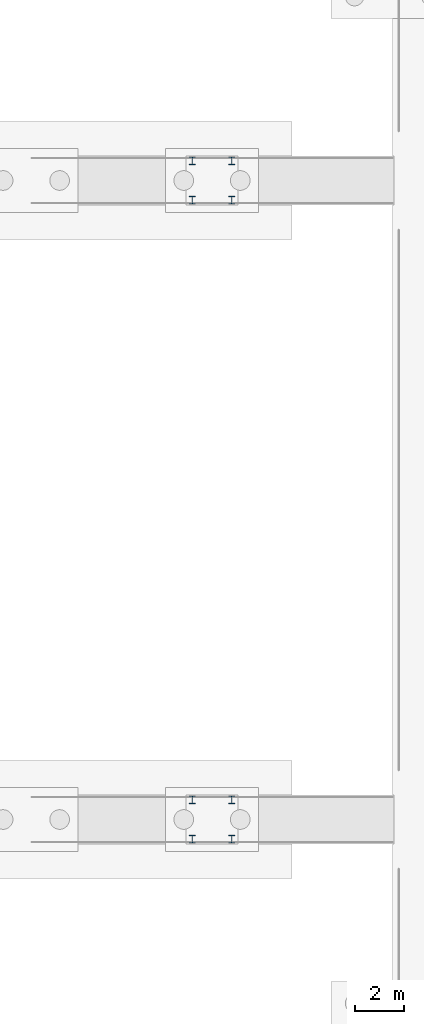
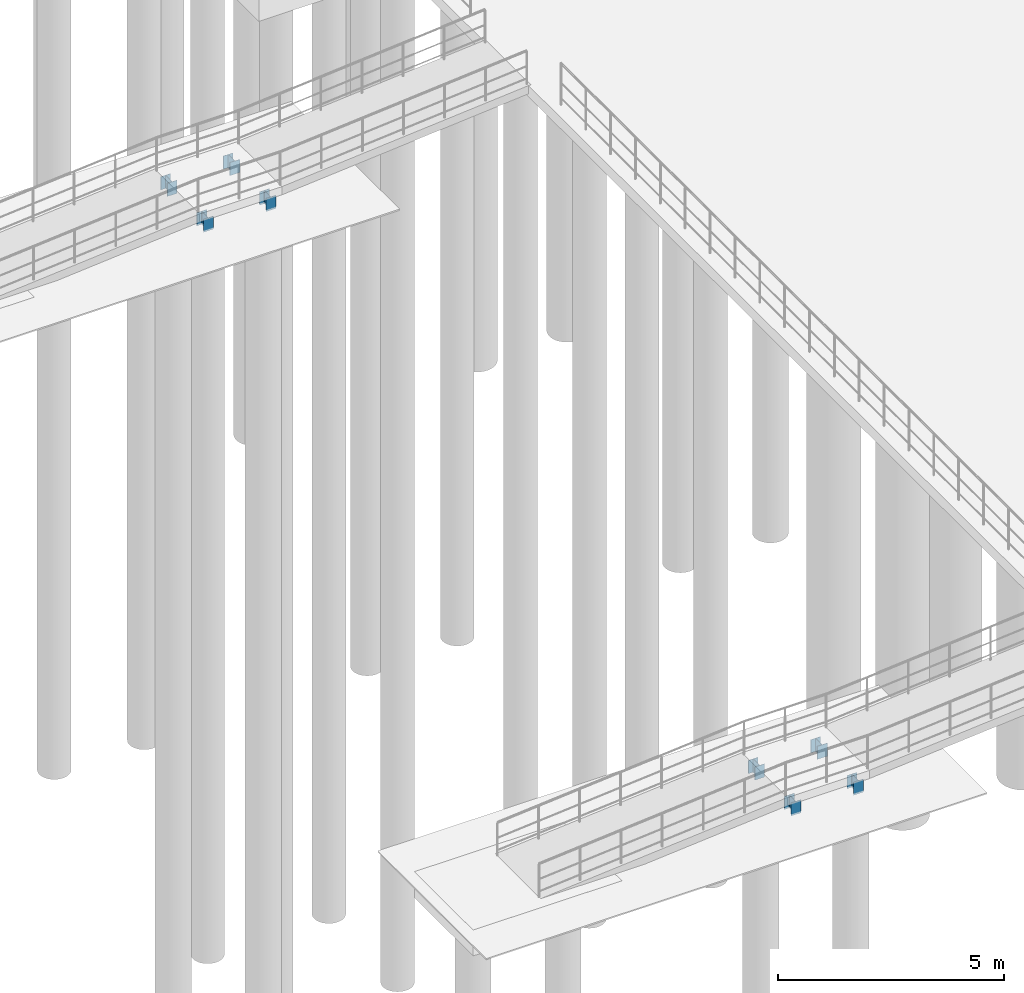
# One storey, part 23 of 147: 8 columns.
"""IFC4 building model written with IfcOpenShell, lengths in metres."""

from ifc_helpers import new_model, si_unit, direction, frame, origin, origin_2d, place, context, subcontext, project, spatial, i_section, extrude, material, material_profile, profile_set, type_object, element, save


model = new_model("IFC4")

# Units and contexts
model_context = context("Model", 3, precision=1e-05, world=origin(), true_north=direction((0.0, 1.0)))
body_context = subcontext(model_context, "Body", "Model", "MODEL_VIEW")
ifc_project = project(units=[si_unit("LENGTHUNIT", "METRE"), si_unit("AREAUNIT", "SQUARE_METRE"), si_unit("VOLUMEUNIT", "CUBIC_METRE"), si_unit("PLANEANGLEUNIT", "RADIAN"), si_unit("MASSUNIT", "GRAM", prefix="KILO")], contexts=[model_context])

# Site, building, storey
site_placement = place(None, origin())
site = spatial("IfcSite", under=ifc_project, at=site_placement, CompositionType="ELEMENT")
building_placement = place(site_placement, origin())
building = spatial("IfcBuilding", under=site, at=building_placement, Name="Varnabhumi Central Station", CompositionType="ELEMENT")
storey_placement = place(building_placement, origin())
storey = spatial("IfcBuildingStorey", under=building, at=storey_placement, Name="L00", CompositionType="ELEMENT", Elevation=0.0)

# Columns
ifc_material = material(Name="Structural steel E350", Category="steel")
ifc_material_profile = material_profile(ifc_material, i_section(OverallWidth=0.25, OverallDepth=0.300048828125, WebThickness=0.009521484375, FlangeThickness=0.010498046875, FilletRadius=0.010986328125, at=origin_2d()), Name="Structural steel E350", Category="steel")
ifc_profile_set = profile_set([ifc_material_profile], Name="Structural steel E350")
column_type = type_object("IfcColumnType", Name="COL-GALLERY-ISHB300", PredefinedType="COLUMN", material=ifc_profile_set)
for number, where, z_axis, x_axis, name in (
    (1, (-8.14990234375, 44.199951171875, -1.10009765625), (0.0, 0.0, 1.0), (1.0, 0.0, 0.0), "RMP-FC-S Landing Pier 1"),
    (2, (-8.14990234375, 45.800048828125, -1.10009765625), (0.0, 0.0, 1.0), (1.0, 0.0, 0.0), "RMP-FC-S Landing Pier 2"),
    (3, (-6.550048828125, 44.199951171875, -1.10009765625), (0.0, 0.0, 1.0), (1.0, 0.0, 0.0), "RMP-FC-S Landing Pier 3"),
    (4, (-6.550048828125, 45.800048828125, -1.10009765625), (0.0, 0.0, 1.0), (1.0, 0.0, 0.0), "RMP-FC-S Landing Pier 4"),
    (5, (-8.14990234375, 70.199951171875, -1.10009765625), (0.0, 0.0, 1.0), (1.0, 0.0, 0.0), "RMP-FC-N Landing Pier 1"),
    (6, (-8.14990234375, 71.800048828125, -1.10009765625), (0.0, 0.0, 1.0), (1.0, 0.0, 0.0), "RMP-FC-N Landing Pier 2"),
    (7, (-6.550048828125, 70.199951171875, -1.10009765625), (0.0, 0.0, 1.0), (1.0, 0.0, 0.0), "RMP-FC-N Landing Pier 3"),
    (8, (-6.550048828125, 71.800048828125, -1.10009765625), (0.0, 0.0, 1.0), (1.0, 0.0, 0.0), "RMP-FC-N Landing Pier 4"),
):
    element("IfcColumn", number, at=place(storey_placement, frame(where, z_axis=z_axis, x_axis=x_axis)), inside=storey, type_object=column_type, Name=name, PredefinedType="COLUMN", context=body_context, shape_type="SweptSolid", body=[
        extrude(i_section(OverallWidth=0.25, OverallDepth=0.300048828125, WebThickness=0.009521484375, FlangeThickness=0.010498046875, FilletRadius=0.010986328125, at=origin_2d()), origin(), (0.0, 0.0, 1.0), 0.35498046875),
    ])

save(model, "model.ifc")
